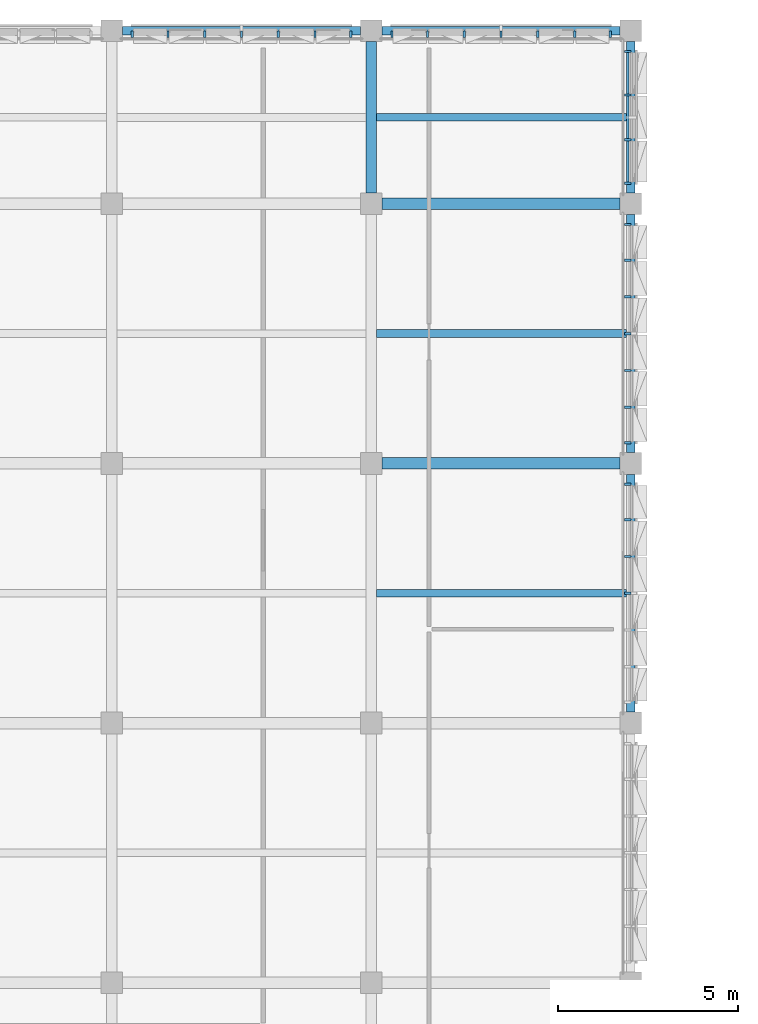
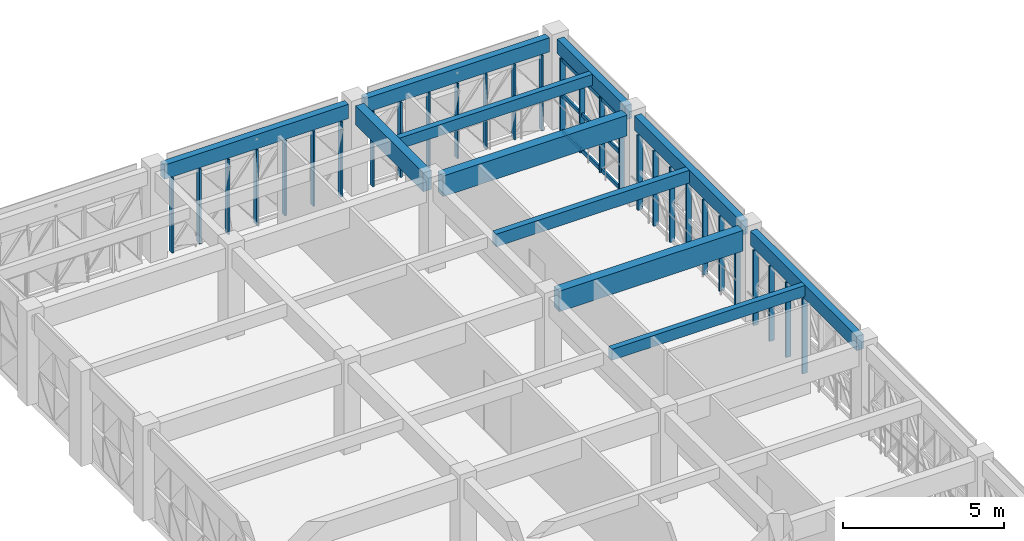
# One storey, part 17 of 99: 38 members, 11 beams, 5 elements without a shape of their own.
"""IFC4 building model written with IfcOpenShell, lengths in metres."""

from ifc_helpers import new_model, si_unit, direction, frame, origin, origin_2d, place, context, subcontext, project, spatial, rectangle, extrude, material, material_profile, profile_set, type_object, element, aggregate, save


model = new_model("IFC4")

# Units and contexts
model_context = context("Model", 3, precision=1e-05, world=origin(), true_north=direction((0.0, 1.0)))
body_context = subcontext(model_context, "Body", "Model", "MODEL_VIEW")
ifc_project = project(units=[si_unit("LENGTHUNIT", "METRE"), si_unit("AREAUNIT", "SQUARE_METRE"), si_unit("VOLUMEUNIT", "CUBIC_METRE"), si_unit("PLANEANGLEUNIT", "RADIAN"), si_unit("MASSUNIT", "GRAM", prefix="KILO")], contexts=[model_context])

# Site, building, storey
site_placement = place(None, origin())
site = spatial("IfcSite", under=ifc_project, at=site_placement, CompositionType="ELEMENT")
building_placement = place(site_placement, origin())
building = spatial("IfcBuilding", under=site, at=building_placement, Name="Alvorim Cloister Faculty of Sciences", CompositionType="ELEMENT")
storey_placement = place(building_placement, frame((0.0, 0.0, 12.14990234375)))
storey = spatial("IfcBuildingStorey", under=building, at=storey_placement, Name="L03", CompositionType="ELEMENT", Elevation=12.14990234375)

# Beams
ifc_material_1 = material(Name="Glulam GL32h", Category="wood")
ifc_material_profile_1 = material_profile(ifc_material_1, rectangle(XDim=0.300048828125, YDim=0.719970703125, at=origin_2d()), Name="GL32-BM-300x720")
ifc_profile_set_1 = profile_set([ifc_material_profile_1], Name="Glulam GL32h")
beam_type_1 = type_object("IfcBeamType", Name="BM-GL-300x720", PredefinedType="BEAM", material=ifc_profile_set_1)
beam_1_placement = place(storey_placement, frame((14.39990234375, 107.10009765625, 3.030029296875), z_axis=(0.0, 1.0, 0.0), x_axis=(-1.0, 0.0, 0.0)))
element("IfcBeam", 1, at=beam_1_placement, inside=storey, type_object=beam_type_1, Name="L03 Primary Girder BM-1617", PredefinedType="BEAM", context=body_context, shape_type="SweptSolid", body=[
    extrude(rectangle(XDim=0.300048828125, YDim=0.719970703125, at=origin_2d()), origin(), (0.0, 0.0, 1.0), 4.199951171875),
])
ifc_material_profile_2 = material_profile(ifc_material_1, rectangle(XDim=0.320068359375, YDim=0.780029296875, at=origin_2d()), Name="GL32-BM-320x780")
ifc_profile_set_2 = profile_set([ifc_material_profile_2], Name="Glulam GL32h")
beam_type_2 = type_object("IfcBeamType", Name="BM-GL-320x780", PredefinedType="BEAM", material=ifc_profile_set_2)
for number, where, z_axis, x_axis, name in (
    (2, (14.699951171875, 99.60009765625, 3.0), (1.0, 0.0, 0.0), (0.0, 1.0, 0.0), "L03 Primary Beam BM-1569"),
    (3, (14.699951171875, 106.800048828125, 3.0), (1.0, 0.0, 0.0), (0.0, 1.0, 0.0), "L03 Primary Beam BM-1572"),
):
    element("IfcBeam", number, at=place(storey_placement, frame(where, z_axis=z_axis, x_axis=x_axis)), inside=storey, type_object=beam_type_2, Name=name, PredefinedType="BEAM", context=body_context, shape_type="SweptSolid", body=[
        extrude(rectangle(XDim=0.320068359375, YDim=0.780029296875, at=origin_2d()), origin(), (0.0, 0.0, 1.0), 6.60009765625),
    ])
ifc_material_2 = material(Name="Glulam GL28h", Category="wood")
ifc_material_profile_3 = material_profile(ifc_material_2, rectangle(XDim=0.199951171875, YDim=0.419921875, at=origin_2d()), Name="GL28-JST-200x420")
ifc_profile_set_3 = profile_set([ifc_material_profile_3], Name="Glulam GL28h")
beam_type_3 = type_object("IfcBeamType", Name="BM-JST-GL-200x420", PredefinedType="JOIST", material=ifc_profile_set_3)
for number, where, z_axis, x_axis, name in (
    (4, (14.550048828125, 96.0, 3.18017578125), (1.0, 0.0, 0.0), (0.0, 1.0, 0.0), "L03 Secondary Floor Joist BM-1697"),
    (5, (14.550048828125, 109.199951171875, 3.18017578125), (1.0, 0.0, 0.0), (0.0, 1.0, 0.0), "L03 Secondary Floor Joist BM-1699"),
):
    element("IfcBeam", number, at=place(storey_placement, frame(where, z_axis=z_axis, x_axis=x_axis)), inside=storey, type_object=beam_type_3, Name=name, PredefinedType="JOIST", context=body_context, shape_type="SweptSolid", body=[
        extrude(rectangle(XDim=0.199951171875, YDim=0.419921875, at=origin_2d()), origin(), (0.0, 0.0, 1.0), 6.929931640625),
    ])
ifc_material_profile_4 = material_profile(ifc_material_2, rectangle(XDim=0.219970703125, YDim=0.47998046875, at=origin_2d()), Name="GL28-JST-220x480")
ifc_profile_set_4 = profile_set([ifc_material_profile_4], Name="Glulam GL28h")
beam_type_4 = type_object("IfcBeamType", Name="BM-JST-GL-220x480", PredefinedType="JOIST", material=ifc_profile_set_4)
beam_2_placement = place(storey_placement, frame((14.550048828125, 103.199951171875, 3.150146484375), z_axis=(1.0, 0.0, 0.0), x_axis=(0.0, 1.0, 0.0)))
element("IfcBeam", 6, at=beam_2_placement, inside=storey, type_object=beam_type_4, Name="L03 Secondary Floor Joist BM-1698", PredefinedType="JOIST", context=body_context, shape_type="SweptSolid", body=[
    extrude(rectangle(XDim=0.219970703125, YDim=0.47998046875, at=origin_2d()), origin(), (0.0, 0.0, 1.0), 6.929931640625),
])
ifc_material_profile_5 = material_profile(ifc_material_2, rectangle(XDim=0.239990234375, YDim=0.5400390625, at=origin_2d()), Name="GL28-SPD-240x540")
ifc_profile_set_5 = profile_set([ifc_material_profile_5], Name="Glulam GL28h")
beam_type_5 = type_object("IfcBeamType", Name="BM-SPD-GL-240x540", PredefinedType="SPANDREL", material=ifc_profile_set_5)
for number, where, z_axis, x_axis, name in (
    (7, (7.5, 111.60009765625, 3.1201171875), (1.0, 0.0, 0.0), (0.0, 1.0, 0.0), "L03 Primary Beam BM-1574"),
    (8, (14.699951171875, 111.60009765625, 3.1201171875), (1.0, 0.0, 0.0), (0.0, 1.0, 0.0), "L03 Primary Beam BM-1575"),
    (9, (21.60009765625, 92.699951171875, 3.1201171875), (0.0, 1.0, 0.0), (-1.0, 0.0, 0.0), "L03 Primary Girder BM-1631"),
    (10, (21.60009765625, 99.89990234375, 3.1201171875), (0.0, 1.0, 0.0), (-1.0, 0.0, 0.0), "L03 Primary Girder BM-1632"),
):
    element("IfcBeam", number, at=place(storey_placement, frame(where, z_axis=z_axis, x_axis=x_axis)), inside=storey, type_object=beam_type_5, Name=name, PredefinedType="SPANDREL", context=body_context, shape_type="SweptSolid", body=[
        extrude(rectangle(XDim=0.239990234375, YDim=0.5400390625, at=origin_2d()), origin(), (0.0, 0.0, 1.0), 6.60009765625),
    ])
beam_3_placement = place(storey_placement, frame((21.60009765625, 107.10009765625, 3.1201171875), z_axis=(0.0, 1.0, 0.0), x_axis=(-1.0, 0.0, 0.0)))
element("IfcBeam", 11, at=beam_3_placement, inside=storey, type_object=beam_type_5, Name="L03 Primary Girder BM-1633", PredefinedType="SPANDREL", context=body_context, shape_type="SweptSolid", body=[
    extrude(rectangle(XDim=0.239990234375, YDim=0.5400390625, at=origin_2d()), origin(), (0.0, 0.0, 1.0), 4.199951171875),
])

# Curtain wall, members
ifc_material_3 = material(Name="Aluminium and Low-E Glass Curtain Wall", Category="aluminium")
curtain_wall_type_1 = type_object("IfcCurtainWallType", Name="CW-TRI-6120x2850", PredefinedType="USERDEFINED", material=ifc_material_3)
curtain_wall_1_placement = place(storey_placement, origin())
curtain_wall_1 = element("IfcCurtainWall", 12, at=curtain_wall_1_placement, inside=storey, type_object=curtain_wall_type_1, Name="L03 Diagonal Cassette Curtain Wall CW-0115", ObjectType="UNITISED CURTAIN WALL", PredefinedType="USERDEFINED")
ifc_material_4 = material(Name="Aluminium Alloy 6063-T6", Category="aluminium")
ifc_material_profile_6 = material_profile(ifc_material_4, rectangle(XDim=0.06494140625, YDim=0.179931640625, at=origin_2d()), Name="ALU-MUL-65x180")
ifc_profile_set_6 = profile_set([ifc_material_profile_6], Name="Aluminium Alloy 6063-T6")
member_type_1 = type_object("IfcMemberType", Name="CW-MUL-65x180", PredefinedType="MULLION", material=ifc_profile_set_6)
member_1_placement = place(storey_placement, frame((7.7724609375, 111.510009765625, 0.0), z_axis=(0.0, 0.0, 1.0), x_axis=(1.0, 0.0, 0.0)))
member_1 = element("IfcMember", 13, at=member_1_placement, type_object=member_type_1, Name="CW-0115 Mullion 1", PredefinedType="MULLION", context=body_context, shape_type="SweptSolid", body=[
    extrude(rectangle(XDim=0.06494140625, YDim=0.179931640625, at=origin_2d()), origin(), (0.0, 0.0, 1.0), 2.85009765625),
])
member_2_placement = place(storey_placement, frame((8.760009765625, 111.510009765625, 0.0), z_axis=(0.0, 0.0, 1.0), x_axis=(1.0, 0.0, 0.0)))
member_2 = element("IfcMember", 14, at=member_2_placement, type_object=member_type_1, Name="CW-0115 Mullion 2", PredefinedType="MULLION", context=body_context, shape_type="SweptSolid", body=[
    extrude(rectangle(XDim=0.06494140625, YDim=0.179931640625, at=origin_2d()), origin(), (0.0, 0.0, 1.0), 2.85009765625),
])
member_3_placement = place(storey_placement, frame((9.780029296875, 111.510009765625, 0.0), z_axis=(0.0, 0.0, 1.0), x_axis=(1.0, 0.0, 0.0)))
member_3 = element("IfcMember", 15, at=member_3_placement, type_object=member_type_1, Name="CW-0115 Mullion 3", PredefinedType="MULLION", context=body_context, shape_type="SweptSolid", body=[
    extrude(rectangle(XDim=0.06494140625, YDim=0.179931640625, at=origin_2d()), origin(), (0.0, 0.0, 1.0), 2.85009765625),
])
member_4_placement = place(storey_placement, frame((10.800048828125, 111.510009765625, 0.0), z_axis=(0.0, 0.0, 1.0), x_axis=(1.0, 0.0, 0.0)))
member_4 = element("IfcMember", 16, at=member_4_placement, type_object=member_type_1, Name="CW-0115 Mullion 4", PredefinedType="MULLION", context=body_context, shape_type="SweptSolid", body=[
    extrude(rectangle(XDim=0.06494140625, YDim=0.179931640625, at=origin_2d()), origin(), (0.0, 0.0, 1.0), 2.85009765625),
])
member_5_placement = place(storey_placement, frame((11.820068359375, 111.510009765625, 0.0), z_axis=(0.0, 0.0, 1.0), x_axis=(1.0, 0.0, 0.0)))
member_5 = element("IfcMember", 17, at=member_5_placement, type_object=member_type_1, Name="CW-0115 Mullion 5", PredefinedType="MULLION", context=body_context, shape_type="SweptSolid", body=[
    extrude(rectangle(XDim=0.06494140625, YDim=0.179931640625, at=origin_2d()), origin(), (0.0, 0.0, 1.0), 2.85009765625),
])
member_6_placement = place(storey_placement, frame((12.840087890625, 111.510009765625, 0.0), z_axis=(0.0, 0.0, 1.0), x_axis=(1.0, 0.0, 0.0)))
member_6 = element("IfcMember", 18, at=member_6_placement, type_object=member_type_1, Name="CW-0115 Mullion 6", PredefinedType="MULLION", context=body_context, shape_type="SweptSolid", body=[
    extrude(rectangle(XDim=0.06494140625, YDim=0.179931640625, at=origin_2d()), origin(), (0.0, 0.0, 1.0), 2.85009765625),
])
member_7_placement = place(storey_placement, frame((13.827392578125, 111.510009765625, 0.0), z_axis=(0.0, 0.0, 1.0), x_axis=(1.0, 0.0, 0.0)))
member_7 = element("IfcMember", 19, at=member_7_placement, type_object=member_type_1, Name="CW-0115 Mullion 7", PredefinedType="MULLION", context=body_context, shape_type="SweptSolid", body=[
    extrude(rectangle(XDim=0.06494140625, YDim=0.179931640625, at=origin_2d()), origin(), (0.0, 0.0, 1.0), 2.85009765625),
])
aggregate(curtain_wall_1, [member_1, member_2, member_3, member_4, member_5, member_6, member_7])

curtain_wall_2_placement = place(storey_placement, origin())
curtain_wall_2 = element("IfcCurtainWall", 20, at=curtain_wall_2_placement, inside=storey, type_object=curtain_wall_type_1, Name="L03 Diagonal Cassette Curtain Wall CW-0116", ObjectType="UNITISED CURTAIN WALL", PredefinedType="USERDEFINED")
member_8_placement = place(storey_placement, frame((14.972412109375, 111.510009765625, 0.0), z_axis=(0.0, 0.0, 1.0), x_axis=(1.0, 0.0, 0.0)))
member_8 = element("IfcMember", 21, at=member_8_placement, type_object=member_type_1, Name="CW-0116 Mullion 1", PredefinedType="MULLION", context=body_context, shape_type="SweptSolid", body=[
    extrude(rectangle(XDim=0.06494140625, YDim=0.179931640625, at=origin_2d()), origin(), (0.0, 0.0, 1.0), 2.85009765625),
])
member_9_placement = place(storey_placement, frame((15.9599609375, 111.510009765625, 0.0), z_axis=(0.0, 0.0, 1.0), x_axis=(1.0, 0.0, 0.0)))
member_9 = element("IfcMember", 22, at=member_9_placement, type_object=member_type_1, Name="CW-0116 Mullion 2", PredefinedType="MULLION", context=body_context, shape_type="SweptSolid", body=[
    extrude(rectangle(XDim=0.06494140625, YDim=0.179931640625, at=origin_2d()), origin(), (0.0, 0.0, 1.0), 2.85009765625),
])
member_10_placement = place(storey_placement, frame((16.97998046875, 111.510009765625, 0.0), z_axis=(0.0, 0.0, 1.0), x_axis=(1.0, 0.0, 0.0)))
member_10 = element("IfcMember", 23, at=member_10_placement, type_object=member_type_1, Name="CW-0116 Mullion 3", PredefinedType="MULLION", context=body_context, shape_type="SweptSolid", body=[
    extrude(rectangle(XDim=0.06494140625, YDim=0.179931640625, at=origin_2d()), origin(), (0.0, 0.0, 1.0), 2.85009765625),
])
member_11_placement = place(storey_placement, frame((18.0, 111.510009765625, 0.0), z_axis=(0.0, 0.0, 1.0), x_axis=(1.0, 0.0, 0.0)))
member_11 = element("IfcMember", 24, at=member_11_placement, type_object=member_type_1, Name="CW-0116 Mullion 4", PredefinedType="MULLION", context=body_context, shape_type="SweptSolid", body=[
    extrude(rectangle(XDim=0.06494140625, YDim=0.179931640625, at=origin_2d()), origin(), (0.0, 0.0, 1.0), 2.85009765625),
])
member_12_placement = place(storey_placement, frame((19.02001953125, 111.510009765625, 0.0), z_axis=(0.0, 0.0, 1.0), x_axis=(1.0, 0.0, 0.0)))
member_12 = element("IfcMember", 25, at=member_12_placement, type_object=member_type_1, Name="CW-0116 Mullion 5", PredefinedType="MULLION", context=body_context, shape_type="SweptSolid", body=[
    extrude(rectangle(XDim=0.06494140625, YDim=0.179931640625, at=origin_2d()), origin(), (0.0, 0.0, 1.0), 2.85009765625),
])
member_13_placement = place(storey_placement, frame((20.0400390625, 111.510009765625, 0.0), z_axis=(0.0, 0.0, 1.0), x_axis=(1.0, 0.0, 0.0)))
member_13 = element("IfcMember", 26, at=member_13_placement, type_object=member_type_1, Name="CW-0116 Mullion 6", PredefinedType="MULLION", context=body_context, shape_type="SweptSolid", body=[
    extrude(rectangle(XDim=0.06494140625, YDim=0.179931640625, at=origin_2d()), origin(), (0.0, 0.0, 1.0), 2.85009765625),
])
member_14_placement = place(storey_placement, frame((21.027587890625, 111.510009765625, 0.0), z_axis=(0.0, 0.0, 1.0), x_axis=(1.0, 0.0, 0.0)))
member_14 = element("IfcMember", 27, at=member_14_placement, type_object=member_type_1, Name="CW-0116 Mullion 7", PredefinedType="MULLION", context=body_context, shape_type="SweptSolid", body=[
    extrude(rectangle(XDim=0.06494140625, YDim=0.179931640625, at=origin_2d()), origin(), (0.0, 0.0, 1.0), 2.85009765625),
])
aggregate(curtain_wall_2, [member_8, member_9, member_10, member_11, member_12, member_13, member_14])

curtain_wall_type_2 = type_object("IfcCurtainWallType", Name="CW-TRI-3720x2850", PredefinedType="USERDEFINED", material=ifc_material_3)
curtain_wall_3_placement = place(storey_placement, origin())
curtain_wall_3 = element("IfcCurtainWall", 28, at=curtain_wall_3_placement, inside=storey, type_object=curtain_wall_type_2, Name="L03 Diagonal Cassette Curtain Wall CW-0117", ObjectType="UNITISED CURTAIN WALL", PredefinedType="USERDEFINED")
member_15_placement = place(storey_placement, frame((21.510009765625, 107.37255859375, 0.0), z_axis=(0.0, 0.0, 1.0), x_axis=(0.0, 1.0, 0.0)))
member_15 = element("IfcMember", 29, at=member_15_placement, type_object=member_type_1, Name="CW-0117 Mullion 1", PredefinedType="MULLION", context=body_context, shape_type="SweptSolid", body=[
    extrude(rectangle(XDim=0.06494140625, YDim=0.179931640625, at=origin_2d()), origin(), (0.0, 0.0, 1.0), 2.85009765625),
])
member_16_placement = place(storey_placement, frame((21.510009765625, 108.580078125, 0.0), z_axis=(0.0, 0.0, 1.0), x_axis=(0.0, 1.0, 0.0)))
member_16 = element("IfcMember", 30, at=member_16_placement, type_object=member_type_1, Name="CW-0117 Mullion 2", PredefinedType="MULLION", context=body_context, shape_type="SweptSolid", body=[
    extrude(rectangle(XDim=0.06494140625, YDim=0.179931640625, at=origin_2d()), origin(), (0.0, 0.0, 1.0), 2.85009765625),
])
member_17_placement = place(storey_placement, frame((21.510009765625, 109.820068359375, 0.0), z_axis=(0.0, 0.0, 1.0), x_axis=(0.0, 1.0, 0.0)))
member_17 = element("IfcMember", 31, at=member_17_placement, type_object=member_type_1, Name="CW-0117 Mullion 3", PredefinedType="MULLION", context=body_context, shape_type="SweptSolid", body=[
    extrude(rectangle(XDim=0.06494140625, YDim=0.179931640625, at=origin_2d()), origin(), (0.0, 0.0, 1.0), 2.85009765625),
])
member_18_placement = place(storey_placement, frame((21.510009765625, 111.027587890625, 0.0), z_axis=(0.0, 0.0, 1.0), x_axis=(0.0, 1.0, 0.0)))
member_18 = element("IfcMember", 32, at=member_18_placement, type_object=member_type_1, Name="CW-0117 Mullion 4", PredefinedType="MULLION", context=body_context, shape_type="SweptSolid", body=[
    extrude(rectangle(XDim=0.06494140625, YDim=0.179931640625, at=origin_2d()), origin(), (0.0, 0.0, 1.0), 2.85009765625),
])

curtain_wall_4_placement = place(storey_placement, origin())
curtain_wall_4 = element("IfcCurtainWall", 33, at=curtain_wall_4_placement, inside=storey, type_object=curtain_wall_type_1, Name="L03 Diagonal Cassette Curtain Wall CW-0118", ObjectType="UNITISED CURTAIN WALL", PredefinedType="USERDEFINED")
member_19_placement = place(storey_placement, frame((21.510009765625, 100.172607421875, 0.0), z_axis=(0.0, 0.0, 1.0), x_axis=(0.0, 1.0, 0.0)))
member_19 = element("IfcMember", 34, at=member_19_placement, type_object=member_type_1, Name="CW-0118 Mullion 1", PredefinedType="MULLION", context=body_context, shape_type="SweptSolid", body=[
    extrude(rectangle(XDim=0.06494140625, YDim=0.179931640625, at=origin_2d()), origin(), (0.0, 0.0, 1.0), 2.85009765625),
])
member_20_placement = place(storey_placement, frame((21.510009765625, 101.159912109375, 0.0), z_axis=(0.0, 0.0, 1.0), x_axis=(0.0, 1.0, 0.0)))
member_20 = element("IfcMember", 35, at=member_20_placement, type_object=member_type_1, Name="CW-0118 Mullion 2", PredefinedType="MULLION", context=body_context, shape_type="SweptSolid", body=[
    extrude(rectangle(XDim=0.06494140625, YDim=0.179931640625, at=origin_2d()), origin(), (0.0, 0.0, 1.0), 2.85009765625),
])
member_21_placement = place(storey_placement, frame((21.510009765625, 102.179931640625, 0.0), z_axis=(0.0, 0.0, 1.0), x_axis=(0.0, 1.0, 0.0)))
member_21 = element("IfcMember", 36, at=member_21_placement, type_object=member_type_1, Name="CW-0118 Mullion 3", PredefinedType="MULLION", context=body_context, shape_type="SweptSolid", body=[
    extrude(rectangle(XDim=0.06494140625, YDim=0.179931640625, at=origin_2d()), origin(), (0.0, 0.0, 1.0), 2.85009765625),
])
member_22_placement = place(storey_placement, frame((21.510009765625, 103.199951171875, 0.0), z_axis=(0.0, 0.0, 1.0), x_axis=(0.0, 1.0, 0.0)))
member_22 = element("IfcMember", 37, at=member_22_placement, type_object=member_type_1, Name="CW-0118 Mullion 4", PredefinedType="MULLION", context=body_context, shape_type="SweptSolid", body=[
    extrude(rectangle(XDim=0.06494140625, YDim=0.179931640625, at=origin_2d()), origin(), (0.0, 0.0, 1.0), 2.85009765625),
])
member_23_placement = place(storey_placement, frame((21.510009765625, 104.219970703125, 0.0), z_axis=(0.0, 0.0, 1.0), x_axis=(0.0, 1.0, 0.0)))
member_23 = element("IfcMember", 38, at=member_23_placement, type_object=member_type_1, Name="CW-0118 Mullion 5", PredefinedType="MULLION", context=body_context, shape_type="SweptSolid", body=[
    extrude(rectangle(XDim=0.06494140625, YDim=0.179931640625, at=origin_2d()), origin(), (0.0, 0.0, 1.0), 2.85009765625),
])
member_24_placement = place(storey_placement, frame((21.510009765625, 105.239990234375, 0.0), z_axis=(0.0, 0.0, 1.0), x_axis=(0.0, 1.0, 0.0)))
member_24 = element("IfcMember", 39, at=member_24_placement, type_object=member_type_1, Name="CW-0118 Mullion 6", PredefinedType="MULLION", context=body_context, shape_type="SweptSolid", body=[
    extrude(rectangle(XDim=0.06494140625, YDim=0.179931640625, at=origin_2d()), origin(), (0.0, 0.0, 1.0), 2.85009765625),
])
member_25_placement = place(storey_placement, frame((21.510009765625, 106.2275390625, 0.0), z_axis=(0.0, 0.0, 1.0), x_axis=(0.0, 1.0, 0.0)))
member_25 = element("IfcMember", 40, at=member_25_placement, type_object=member_type_1, Name="CW-0118 Mullion 7", PredefinedType="MULLION", context=body_context, shape_type="SweptSolid", body=[
    extrude(rectangle(XDim=0.06494140625, YDim=0.179931640625, at=origin_2d()), origin(), (0.0, 0.0, 1.0), 2.85009765625),
])
aggregate(curtain_wall_4, [member_19, member_20, member_21, member_22, member_23, member_24, member_25])

curtain_wall_5_placement = place(storey_placement, origin())
curtain_wall_5 = element("IfcCurtainWall", 41, at=curtain_wall_5_placement, inside=storey, type_object=curtain_wall_type_1, Name="L03 Diagonal Cassette Curtain Wall CW-0119", ObjectType="UNITISED CURTAIN WALL", PredefinedType="USERDEFINED")
member_26_placement = place(storey_placement, frame((21.510009765625, 96.0, 0.0), z_axis=(0.0, 0.0, 1.0), x_axis=(0.0, 1.0, 0.0)))
member_26 = element("IfcMember", 42, at=member_26_placement, type_object=member_type_1, Name="CW-0119 Mullion 4", PredefinedType="MULLION", context=body_context, shape_type="SweptSolid", body=[
    extrude(rectangle(XDim=0.06494140625, YDim=0.179931640625, at=origin_2d()), origin(), (0.0, 0.0, 1.0), 2.85009765625),
])
member_27_placement = place(storey_placement, frame((21.510009765625, 97.02001953125, 0.0), z_axis=(0.0, 0.0, 1.0), x_axis=(0.0, 1.0, 0.0)))
member_27 = element("IfcMember", 43, at=member_27_placement, type_object=member_type_1, Name="CW-0119 Mullion 5", PredefinedType="MULLION", context=body_context, shape_type="SweptSolid", body=[
    extrude(rectangle(XDim=0.06494140625, YDim=0.179931640625, at=origin_2d()), origin(), (0.0, 0.0, 1.0), 2.85009765625),
])
member_28_placement = place(storey_placement, frame((21.510009765625, 98.0400390625, 0.0), z_axis=(0.0, 0.0, 1.0), x_axis=(0.0, 1.0, 0.0)))
member_28 = element("IfcMember", 44, at=member_28_placement, type_object=member_type_1, Name="CW-0119 Mullion 6", PredefinedType="MULLION", context=body_context, shape_type="SweptSolid", body=[
    extrude(rectangle(XDim=0.06494140625, YDim=0.179931640625, at=origin_2d()), origin(), (0.0, 0.0, 1.0), 2.85009765625),
])
member_29_placement = place(storey_placement, frame((21.510009765625, 99.027587890625, 0.0), z_axis=(0.0, 0.0, 1.0), x_axis=(0.0, 1.0, 0.0)))
member_29 = element("IfcMember", 45, at=member_29_placement, type_object=member_type_1, Name="CW-0119 Mullion 7", PredefinedType="MULLION", context=body_context, shape_type="SweptSolid", body=[
    extrude(rectangle(XDim=0.06494140625, YDim=0.179931640625, at=origin_2d()), origin(), (0.0, 0.0, 1.0), 2.85009765625),
])
aggregate(curtain_wall_5, [member_26, member_27, member_28, member_29])

# Member
ifc_material_profile_7 = material_profile(ifc_material_4, rectangle(XDim=0.06494140625, YDim=0.139892578125, at=origin_2d()), Name="ALU-TRN-65x140")
ifc_profile_set_7 = profile_set([ifc_material_profile_7], Name="Aluminium Alloy 6063-T6")
member_type_2 = type_object("IfcMemberType", Name="CW-TRN-65x140", PredefinedType="USERDEFINED", material=ifc_profile_set_7)
member_30_placement = place(storey_placement, frame((21.510009765625, 107.405029296875, 0.070068359375), z_axis=(0.0, 1.0, 0.0), x_axis=(-1.0, 0.0, 0.0)))
member_30 = element("IfcMember", 46, at=member_30_placement, type_object=member_type_2, Name="CW-0117 Transom 1.1", ObjectType="TRANSOM", PredefinedType="USERDEFINED", context=body_context, shape_type="SweptSolid", body=[
    extrude(rectangle(XDim=0.06494140625, YDim=0.139892578125, at=origin_2d()), origin(), (0.0, 0.0, 1.0), 1.142578125),
])

member_31_placement = place(storey_placement, frame((21.510009765625, 107.405029296875, 1.425048828125), z_axis=(0.0, 1.0, 0.0), x_axis=(-1.0, 0.0, 0.0)))
member_31 = element("IfcMember", 47, at=member_31_placement, type_object=member_type_2, Name="CW-0117 Transom 1.2", ObjectType="TRANSOM", PredefinedType="USERDEFINED", context=body_context, shape_type="SweptSolid", body=[
    extrude(rectangle(XDim=0.06494140625, YDim=0.139892578125, at=origin_2d()), origin(), (0.0, 0.0, 1.0), 1.142578125),
])

member_32_placement = place(storey_placement, frame((21.510009765625, 107.405029296875, 2.780029296875), z_axis=(0.0, 1.0, 0.0), x_axis=(-1.0, 0.0, 0.0)))
member_32 = element("IfcMember", 48, at=member_32_placement, type_object=member_type_2, Name="CW-0117 Transom 1.3", ObjectType="TRANSOM", PredefinedType="USERDEFINED", context=body_context, shape_type="SweptSolid", body=[
    extrude(rectangle(XDim=0.06494140625, YDim=0.139892578125, at=origin_2d()), origin(), (0.0, 0.0, 1.0), 1.142578125),
])

member_33_placement = place(storey_placement, frame((21.510009765625, 108.612548828125, 0.070068359375), z_axis=(0.0, 1.0, 0.0), x_axis=(-1.0, 0.0, 0.0)))
member_33 = element("IfcMember", 49, at=member_33_placement, type_object=member_type_2, Name="CW-0117 Transom 2.1", ObjectType="TRANSOM", PredefinedType="USERDEFINED", context=body_context, shape_type="SweptSolid", body=[
    extrude(rectangle(XDim=0.06494140625, YDim=0.139892578125, at=origin_2d()), origin(), (0.0, 0.0, 1.0), 1.175048828125),
])

member_34_placement = place(storey_placement, frame((21.510009765625, 108.612548828125, 1.425048828125), z_axis=(0.0, 1.0, 0.0), x_axis=(-1.0, 0.0, 0.0)))
member_34 = element("IfcMember", 50, at=member_34_placement, type_object=member_type_2, Name="CW-0117 Transom 2.2", ObjectType="TRANSOM", PredefinedType="USERDEFINED", context=body_context, shape_type="SweptSolid", body=[
    extrude(rectangle(XDim=0.06494140625, YDim=0.139892578125, at=origin_2d()), origin(), (0.0, 0.0, 1.0), 1.175048828125),
])

member_35_placement = place(storey_placement, frame((21.510009765625, 108.612548828125, 2.780029296875), z_axis=(0.0, 1.0, 0.0), x_axis=(-1.0, 0.0, 0.0)))
member_35 = element("IfcMember", 51, at=member_35_placement, type_object=member_type_2, Name="CW-0117 Transom 2.3", ObjectType="TRANSOM", PredefinedType="USERDEFINED", context=body_context, shape_type="SweptSolid", body=[
    extrude(rectangle(XDim=0.06494140625, YDim=0.139892578125, at=origin_2d()), origin(), (0.0, 0.0, 1.0), 1.175048828125),
])

member_36_placement = place(storey_placement, frame((21.510009765625, 109.8525390625, 0.070068359375), z_axis=(0.0, 1.0, 0.0), x_axis=(-1.0, 0.0, 0.0)))
member_36 = element("IfcMember", 52, at=member_36_placement, type_object=member_type_2, Name="CW-0117 Transom 3.1", ObjectType="TRANSOM", PredefinedType="USERDEFINED", context=body_context, shape_type="SweptSolid", body=[
    extrude(rectangle(XDim=0.06494140625, YDim=0.139892578125, at=origin_2d()), origin(), (0.0, 0.0, 1.0), 1.142578125),
])

member_37_placement = place(storey_placement, frame((21.510009765625, 109.8525390625, 1.425048828125), z_axis=(0.0, 1.0, 0.0), x_axis=(-1.0, 0.0, 0.0)))
member_37 = element("IfcMember", 53, at=member_37_placement, type_object=member_type_2, Name="CW-0117 Transom 3.2", ObjectType="TRANSOM", PredefinedType="USERDEFINED", context=body_context, shape_type="SweptSolid", body=[
    extrude(rectangle(XDim=0.06494140625, YDim=0.139892578125, at=origin_2d()), origin(), (0.0, 0.0, 1.0), 1.142578125),
])

member_38_placement = place(storey_placement, frame((21.510009765625, 109.8525390625, 2.780029296875), z_axis=(0.0, 1.0, 0.0), x_axis=(-1.0, 0.0, 0.0)))
member_38 = element("IfcMember", 54, at=member_38_placement, type_object=member_type_2, Name="CW-0117 Transom 3.3", ObjectType="TRANSOM", PredefinedType="USERDEFINED", context=body_context, shape_type="SweptSolid", body=[
    extrude(rectangle(XDim=0.06494140625, YDim=0.139892578125, at=origin_2d()), origin(), (0.0, 0.0, 1.0), 1.142578125),
])

aggregate(curtain_wall_3, [member_15, member_16, member_17, member_18, member_30, member_31, member_32, member_33, member_34, member_35, member_36, member_37, member_38])

save(model, "model.ifc")
